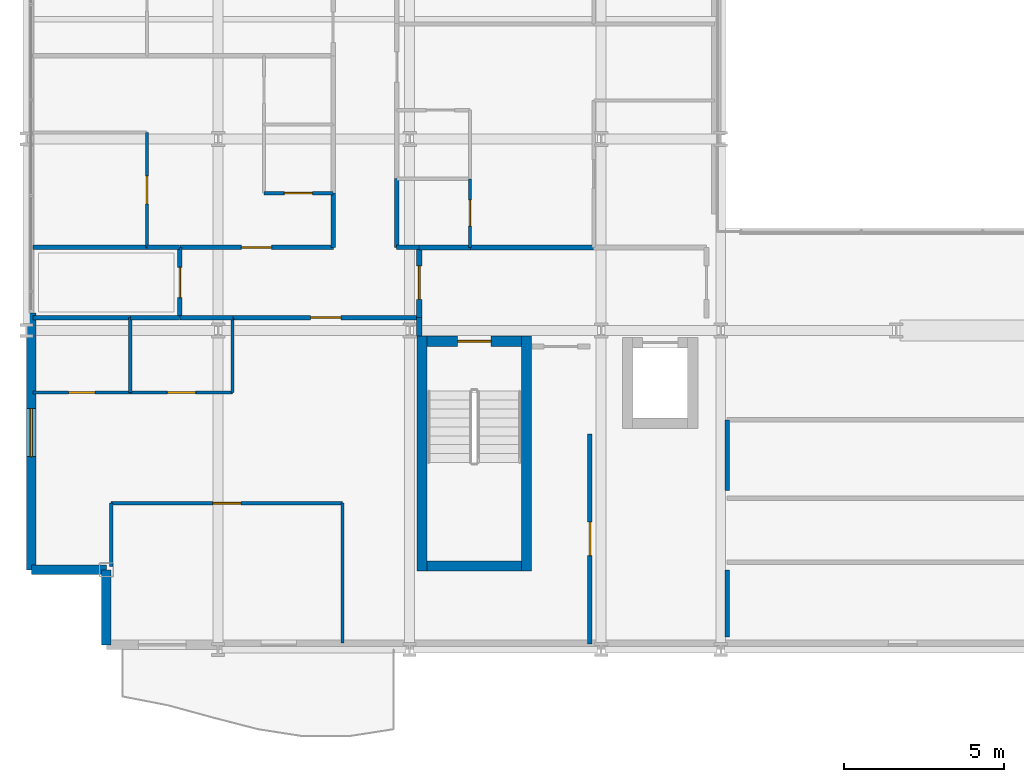
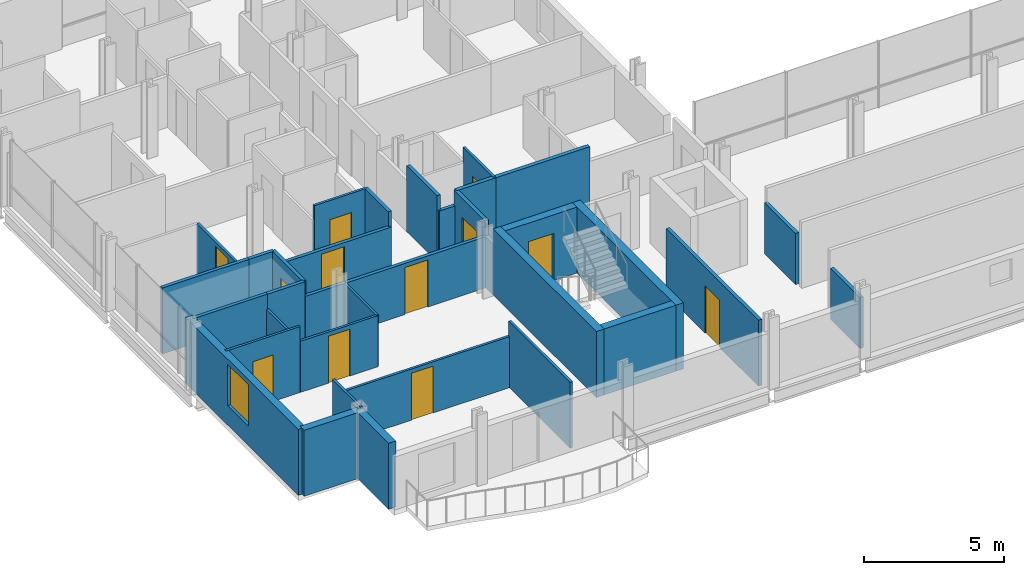
# One storey, part 31 of 40: 35 walls, 12 doors, 1 window, 13 openings.
"""IFC4 building model written with IfcOpenShell, lengths in metres."""

from ifc_helpers import new_model, si_unit, direction, frame, frame_2d, origin, place, context, subcontext, project, spatial, rectangle, extrude, material, layer, layer_set, type_object, element, fill, save


model = new_model("IFC4")

# Units and contexts
model_context = context("Model", 3, precision=1e-05, world=origin(), true_north=direction((0.0, 1.0)))
body_context = subcontext(model_context, "Body", "Model", "MODEL_VIEW")
ifc_project = project(units=[si_unit("LENGTHUNIT", "METRE"), si_unit("AREAUNIT", "SQUARE_METRE"), si_unit("VOLUMEUNIT", "CUBIC_METRE"), si_unit("PLANEANGLEUNIT", "RADIAN"), si_unit("MASSUNIT", "GRAM", prefix="KILO")], contexts=[model_context])

# Site, building, storey
site_placement = place(None, origin())
site = spatial("IfcSite", under=ifc_project, at=site_placement, CompositionType="ELEMENT")
building_placement = place(site_placement, origin())
building = spatial("IfcBuilding", under=site, at=building_placement, Name="Brevholm Reach", CompositionType="ELEMENT")
storey_placement = place(building_placement, frame((0.0, 0.0, 37.300048828125)))
storey = spatial("IfcBuildingStorey", under=building, at=storey_placement, Name="L09", CompositionType="ELEMENT", Elevation=37.300048828125)

# Walls
ifc_material_1 = material(Name="Concrete C60/75", Category="concrete")
ifc_layer_1 = layer(ifc_material_1, 0.320068359375)
ifc_layer_set_1 = layer_set([ifc_layer_1], Name="Concrete C60/75")
wall_type_1 = type_object("IfcWallType", Name="WAL-COR-320", PredefinedType="SHEAR", material=ifc_layer_set_1)
for number, where, z_axis, x_axis, name in (
    (1, (12.389892578125, 2.4599609375, 0.0), (0.0, 0.0, 1.0), (0.0, 1.0, 0.0), "L09 Escape Stair ST-1 Core Wall W"),
    (2, (15.659912109375, 2.4599609375, 0.0), (0.0, 0.0, 1.0), (0.0, 1.0, 0.0), "L09 Escape Stair ST-1 Core Wall E"),
):
    element("IfcWall", number, at=place(storey_placement, frame(where, z_axis=z_axis, x_axis=x_axis)), inside=storey, type_object=wall_type_1, Name=name, PredefinedType="SHEAR", context=body_context, shape_type="SweptSolid", body=[
        extrude(rectangle(XDim=7.360107421875, YDim=0.320068359375, at=frame_2d((3.68017578125, 0.0))), origin(), (0.0, 0.0, 1.0), 2.869873046875),
    ])
wall_1_placement = place(storey_placement, frame((12.550048828125, 2.6201171875, 0.0), z_axis=(0.0, 0.0, 1.0), x_axis=(1.0, 0.0, 0.0)))
element("IfcWall", 3, at=wall_1_placement, inside=storey, type_object=wall_type_1, Name="L09 Escape Stair ST-1 Core Wall S", PredefinedType="SHEAR", context=body_context, shape_type="SweptSolid", body=[
    extrude(rectangle(XDim=2.949951171875, YDim=0.320068359375, at=frame_2d((1.47509765625, 0.0))), origin(), (0.0, 0.0, 1.0), 2.869873046875),
])

# Wall, opening, door
wall_2_placement = place(storey_placement, frame((15.5, 9.659912109375, 0.0), z_axis=(0.0, 0.0, 1.0), x_axis=(-1.0, 0.0, 0.0)))
wall_2 = element("IfcWall", 4, at=wall_2_placement, inside=storey, type_object=wall_type_1, Name="L09 Escape Stair ST-1 Core Wall N", PredefinedType="SHEAR", context=body_context, shape_type="SweptSolid", body=[
    extrude(rectangle(XDim=2.949951171875, YDim=0.320068359375, at=frame_2d((1.47509765625, 0.0))), origin(), (0.0, 0.0, 1.0), 2.869873046875),
])
opening_1_placement = place(wall_2_placement, frame((0.949951171875, 0.0, 0.0)))
opening_1 = element("IfcOpeningElement", 5, at=opening_1_placement, cuts=wall_2, Name="Opening SD-ST-1", PredefinedType="OPENING", context=body_context, shape_type="SweptSolid", body=[
    extrude(rectangle(XDim=1.050048828125, YDim=2.06005859375, at=frame_2d((0.52490234375, 1.030029296875))), frame((0.0, 0.169921875, 0.0), z_axis=(0.0, -1.0, 0.0), x_axis=(1.0, 0.0, 0.0)), (0.0, 0.0, 1.0), 0.340087890625),
])
ifc_material_2 = material(Name="Hardwood-Lipped Steel-Core Fire and Smoke Door", Category="steel")
door_type_1 = type_object("IfcDoorType", Name="DOR-INT-FD60S", OperationType="NOTDEFINED", PredefinedType="DOOR", material=ifc_material_2)
door_1_placement = place(opening_1_placement, origin())
door_1 = element("IfcDoor", 6, at=door_1_placement, inside=storey, type_object=door_type_1, Name="L09 Protected Stair ST-1 Lobby Door", OperationType="SINGLE_SWING_LEFT", OverallHeight=2.06005859375, OverallWidth=1.050048828125, PredefinedType="DOOR", context=body_context, shape_type="SweptSolid", body=[
    extrude(rectangle(XDim=1.050048828125, YDim=2.06005859375, at=frame_2d((0.52490234375, 1.030029296875))), frame((0.0, 0.02490234375, 0.0), z_axis=(0.0, -1.0, 0.0), x_axis=(1.0, 0.0, 0.0)), (0.0, 0.0, 1.0), 0.050048828125),
])
fill(opening_1, door_1)

# Walls
ifc_material_3 = material(Name="Concrete C40/50", Category="concrete")
ifc_layer_2 = layer(ifc_material_3, 0.300048828125)
ifc_layer_set_2 = layer_set([ifc_layer_2], Name="Concrete C40/50")
wall_type_2 = type_object("IfcWallType", Name="WAL-EXT-300", PredefinedType="STANDARD", material=ifc_layer_set_2)
for number, where, z_axis, x_axis, name in (
    (7, (2.5, 2.5, 0.0), (0.0, 0.0, 1.0), (0.0, -1.0, 0.0), "L09 Facade Wall WAL-L09-CSW1"),
    (8, (0.14990234375, 2.5, 0.0), (0.0, 0.0, 1.0), (1.0, 0.0, 0.0), "L09 Facade Wall WAL-L09-CSW2"),
):
    element("IfcWall", number, at=place(storey_placement, frame(where, z_axis=z_axis, x_axis=x_axis)), inside=storey, type_object=wall_type_2, Name=name, PredefinedType="STANDARD", context=body_context, shape_type="SweptSolid", body=[
        extrude(rectangle(XDim=2.35009765625, YDim=0.300048828125, at=frame_2d((1.175048828125, 0.0))), origin(), (0.0, 0.0, 1.0), 2.869873046875),
    ])

# Wall, opening, window
wall_3_placement = place(storey_placement, frame((0.14990234375, 10.550048828125, 0.0), z_axis=(0.0, 0.0, 1.0), x_axis=(0.0, -1.0, 0.0)))
wall_3 = element("IfcWall", 9, at=wall_3_placement, inside=storey, type_object=wall_type_2, Name="L09 Facade Wall WAL-L09-W-S", PredefinedType="STANDARD", context=body_context, shape_type="SweptSolid", body=[
    extrude(rectangle(XDim=8.050048828125, YDim=0.300048828125, at=frame_2d((4.02490234375, 0.0))), origin(), (0.0, 0.0, 1.0), 2.869873046875),
])
opening_2_placement = place(wall_3_placement, frame((3.0, 0.0, 0.85009765625)))
opening_2 = element("IfcOpeningElement", 10, at=opening_2_placement, cuts=wall_3, Name="Opening WN-05", PredefinedType="OPENING", context=body_context, shape_type="SweptSolid", body=[
    extrude(rectangle(XDim=1.5, YDim=1.800048828125, at=frame_2d((0.75, 0.89990234375))), frame((0.0, 0.159912109375, 0.0), z_axis=(0.0, -1.0, 0.0), x_axis=(1.0, 0.0, 0.0)), (0.0, 0.0, 1.0), 0.320068359375),
])
ifc_material_4 = material(Name="Dark Anodised Aluminium and Solar-Control IGU Glass", Category="aluminium")
window_type = type_object("IfcWindowType", Name="WIN-RES-1500", PartitioningType="SINGLE_PANEL", PredefinedType="WINDOW", material=ifc_material_4)
window_placement = place(opening_2_placement, origin())
window = element("IfcWindow", 11, at=window_placement, inside=storey, type_object=window_type, Name="L09 Window WIN-L09-WS-1", OverallHeight=1.800048828125, OverallWidth=1.5, PartitioningType="SINGLE_PANEL", PredefinedType="WINDOW", context=body_context, shape_type="SweptSolid", body=[
    extrude(rectangle(XDim=1.5, YDim=1.800048828125, at=frame_2d((0.75, 0.89990234375))), frame((0.0, 0.030029296875, 0.0), z_axis=(0.0, -1.0, 0.0), x_axis=(1.0, 0.0, 0.0)), (0.0, 0.0, 1.0), 0.06005859375),
])
fill(opening_2, window)

# Wall
ifc_material_5 = material(Name="Moisture-Resistant Acoustic Gypsum Stud Partition 100 mm", Category="gypsum")
ifc_layer_3 = layer(ifc_material_5, 0.10009765625)
ifc_layer_set_3 = layer_set([ifc_layer_3], Name="Moisture-Resistant Acoustic Gypsum Stud Partition 100 mm")
wall_type_3 = type_object("IfcWallType", Name="WAL-PRT-100", PredefinedType="PARTITIONING", material=ifc_layer_set_3)
wall_4_placement = place(storey_placement, frame((3.25, 8.053955078125, 0.0), z_axis=(0.0, 0.0, 1.0), x_axis=(0.0, 1.0, 0.0)))
element("IfcWall", 12, at=wall_4_placement, inside=storey, type_object=wall_type_3, Name="L09 Internal Partition 065", PredefinedType="PARTITIONING", context=body_context, shape_type="SweptSolid", body=[
    extrude(rectangle(XDim=2.345947265625, YDim=0.10009765625, at=frame_2d((1.1728515625, 0.0))), origin(), (0.0, 0.0, 1.0), 2.224853515625),
])

# Wall, opening, door
wall_5_placement = place(storey_placement, frame((0.199951171875, 8.053955078125, 0.0), z_axis=(0.0, 0.0, 1.0), x_axis=(1.0, 0.0, 0.0)))
wall_5 = element("IfcWall", 13, at=wall_5_placement, inside=storey, type_object=wall_type_3, Name="L09 Internal Partition 066", PredefinedType="PARTITIONING", context=body_context, shape_type="SweptSolid", body=[
    extrude(rectangle(XDim=3.050048828125, YDim=0.10009765625, at=frame_2d((1.52490234375, 0.0))), origin(), (0.0, 0.0, 1.0), 2.869873046875),
])
opening_3_placement = place(wall_5_placement, frame((1.114990234375, 0.0, 0.0)))
opening_3 = element("IfcOpeningElement", 14, at=opening_3_placement, cuts=wall_5, Name="Opening ID-03", PredefinedType="OPENING", context=body_context, shape_type="SweptSolid", body=[
    extrude(rectangle(XDim=0.820068359375, YDim=2.02001953125, at=frame_2d((0.41015625, 1.010009765625))), frame((0.0, 0.06005859375, 0.0), z_axis=(0.0, -1.0, 0.0), x_axis=(1.0, 0.0, 0.0)), (0.0, 0.0, 1.0), 0.1201171875),
])
ifc_material_6 = material(Name="Moisture-Resistant Painted Timber Internal Bathroom Door", Category="wood")
door_type_2 = type_object("IfcDoorType", Name="DOR-BATH-820", OperationType="NOTDEFINED", PredefinedType="DOOR", material=ifc_material_6)
door_2_placement = place(opening_3_placement, origin())
door_2 = element("IfcDoor", 15, at=door_2_placement, inside=storey, type_object=door_type_2, Name="L09 Internal Door 025", OperationType="SINGLE_SWING_RIGHT", OverallHeight=2.02001953125, OverallWidth=0.820068359375, PredefinedType="DOOR", context=body_context, shape_type="SweptSolid", body=[
    extrude(rectangle(XDim=0.820068359375, YDim=2.02001953125, at=frame_2d((0.41015625, 1.010009765625))), frame((0.0, 0.02490234375, 0.0), z_axis=(0.0, -1.0, 0.0), x_axis=(1.0, 0.0, 0.0)), (0.0, 0.0, 1.0), 0.050048828125),
])
fill(opening_3, door_2)

wall_6_placement = place(storey_placement, frame((3.25390625, 8.053955078125, 0.0), z_axis=(0.0, 0.0, 1.0), x_axis=(1.0, 0.0, 0.0)))
wall_6 = element("IfcWall", 16, at=wall_6_placement, inside=storey, type_object=wall_type_3, Name="L09 Internal Partition 068", PredefinedType="PARTITIONING", context=body_context, shape_type="SweptSolid", body=[
    extrude(rectangle(XDim=3.196044921875, YDim=0.10009765625, at=frame_2d((1.59814453125, 0.0))), origin(), (0.0, 0.0, 1.0), 2.224853515625),
])
opening_4_placement = place(wall_6_placement, frame((1.157958984375, 0.0, 0.0)))
opening_4 = element("IfcOpeningElement", 17, at=opening_4_placement, cuts=wall_6, Name="Opening ID-01", PredefinedType="OPENING", context=body_context, shape_type="SweptSolid", body=[
    extrude(rectangle(XDim=0.8798828125, YDim=2.0400390625, at=frame_2d((0.43994140625, 1.02001953125))), frame((0.0, 0.06005859375, 0.0), z_axis=(0.0, -1.0, 0.0), x_axis=(1.0, 0.0, 0.0)), (0.0, 0.0, 1.0), 0.1201171875),
])
ifc_material_7 = material(Name="Lacquered Ash Solid-Core Acoustic Internal Door", Category="timber")
door_type_3 = type_object("IfcDoorType", Name="DOR-INT-880", OperationType="NOTDEFINED", PredefinedType="DOOR", material=ifc_material_7)
door_3_placement = place(opening_4_placement, origin())
door_3 = element("IfcDoor", 18, at=door_3_placement, inside=storey, type_object=door_type_3, Name="L09 Internal Door 026", OperationType="SINGLE_SWING_LEFT", OverallHeight=2.0400390625, OverallWidth=0.8798828125, PredefinedType="DOOR", context=body_context, shape_type="SweptSolid", body=[
    extrude(rectangle(XDim=0.8798828125, YDim=2.0400390625, at=frame_2d((0.43994140625, 1.02001953125))), frame((0.0, 0.02490234375, 0.0), z_axis=(0.0, -1.0, 0.0), x_axis=(1.0, 0.0, 0.0)), (0.0, 0.0, 1.0), 0.050048828125),
])
fill(opening_4, door_3)

# Walls
wall_7_placement = place(storey_placement, frame((6.449951171875, 8.053955078125, 0.0), z_axis=(0.0, 0.0, 1.0), x_axis=(0.0, 1.0, 0.0)))
element("IfcWall", 19, at=wall_7_placement, inside=storey, type_object=wall_type_3, Name="L09 Internal Partition 069", PredefinedType="PARTITIONING", context=body_context, shape_type="SweptSolid", body=[
    extrude(rectangle(XDim=2.342041015625, YDim=0.10009765625, at=frame_2d((1.1708984375, 0.0))), origin(), (0.0, 0.0, 1.0), 2.224853515625),
])
wall_8_placement = place(storey_placement, frame((2.64990234375, 2.599365234375, 0.0), z_axis=(0.0, 0.0, 1.0), x_axis=(0.0, 1.0, 0.0)))
element("IfcWall", 20, at=wall_8_placement, inside=storey, type_object=wall_type_3, Name="L09 Internal Partition 071", PredefinedType="PARTITIONING", context=body_context, shape_type="SweptSolid", body=[
    extrude(rectangle(XDim=1.986572265625, YDim=0.10009765625, at=frame_2d((0.9931640625, 0.0))), origin(), (0.0, 0.0, 1.0), 2.869873046875),
])
wall_9_placement = place(storey_placement, frame((9.89990234375, 0.199951171875, 0.0), z_axis=(0.0, 0.0, 1.0), x_axis=(0.0, 1.0, 0.0)))
element("IfcWall", 21, at=wall_9_placement, inside=storey, type_object=wall_type_3, Name="L09 Internal Partition 072", PredefinedType="PARTITIONING", context=body_context, shape_type="SweptSolid", body=[
    extrude(rectangle(XDim=4.385986328125, YDim=0.10009765625, at=frame_2d((2.19287109375, 0.0))), origin(), (0.0, 0.0, 1.0), 2.869873046875),
])

# Wall, opening, door
wall_10_placement = place(storey_placement, frame((2.64990234375, 4.5859375, 0.0), z_axis=(0.0, 0.0, 1.0), x_axis=(1.0, 0.0, 0.0)))
wall_10 = element("IfcWall", 22, at=wall_10_placement, inside=storey, type_object=wall_type_3, Name="L09 Internal Partition 073", PredefinedType="PARTITIONING", context=body_context, shape_type="SweptSolid", body=[
    extrude(rectangle(XDim=7.25, YDim=0.10009765625, at=frame_2d((3.625, 0.0))), origin(), (0.0, 0.0, 1.0), 2.224853515625),
])
opening_5_placement = place(wall_10_placement, frame((3.18505859375, 0.0, 0.0)))
opening_5 = element("IfcOpeningElement", 23, at=opening_5_placement, cuts=wall_10, Name="Opening ID-01", PredefinedType="OPENING", context=body_context, shape_type="SweptSolid", body=[
    extrude(rectangle(XDim=0.8798828125, YDim=2.0400390625, at=frame_2d((0.43994140625, 1.02001953125))), frame((0.0, 0.06005859375, 0.0), z_axis=(0.0, -1.0, 0.0), x_axis=(1.0, 0.0, 0.0)), (0.0, 0.0, 1.0), 0.1201171875),
])
door_4_placement = place(opening_5_placement, origin())
door_4 = element("IfcDoor", 24, at=door_4_placement, inside=storey, type_object=door_type_3, Name="L09 Internal Door 027", OperationType="SINGLE_SWING_RIGHT", OverallHeight=2.0400390625, OverallWidth=0.8798828125, PredefinedType="DOOR", context=body_context, shape_type="SweptSolid", body=[
    extrude(rectangle(XDim=0.8798828125, YDim=2.0400390625, at=frame_2d((0.43994140625, 1.02001953125))), frame((0.0, 0.02490234375, 0.0), z_axis=(0.0, -1.0, 0.0), x_axis=(1.0, 0.0, 0.0)), (0.0, 0.0, 1.0), 0.050048828125),
])
fill(opening_5, door_4)

wall_11_placement = place(storey_placement, frame((7.43798828125, 14.300048828125, 0.0), z_axis=(0.0, 0.0, 1.0), x_axis=(1.0, 0.0, 0.0)))
wall_11 = element("IfcWall", 25, at=wall_11_placement, inside=storey, type_object=wall_type_3, Name="L09 Internal Partition 089", PredefinedType="PARTITIONING", context=body_context, shape_type="SweptSolid", body=[
    extrude(rectangle(XDim=2.157958984375, YDim=0.10009765625, at=frame_2d((1.0791015625, 0.0))), origin(), (0.0, 0.0, 1.0), 2.869873046875),
])
opening_6_placement = place(wall_11_placement, frame((0.638916015625, 0.0, 0.0)))
opening_6 = element("IfcOpeningElement", 26, at=opening_6_placement, cuts=wall_11, Name="Opening ID-01", PredefinedType="OPENING", context=body_context, shape_type="SweptSolid", body=[
    extrude(rectangle(XDim=0.8798828125, YDim=2.0400390625, at=frame_2d((0.43994140625, 1.02001953125))), frame((0.0, 0.06005859375, 0.0), z_axis=(0.0, -1.0, 0.0), x_axis=(1.0, 0.0, 0.0)), (0.0, 0.0, 1.0), 0.1201171875),
])
door_5_placement = place(opening_6_placement, origin())
door_5 = element("IfcDoor", 27, at=door_5_placement, inside=storey, type_object=door_type_3, Name="L09 Internal Door 032", OperationType="SINGLE_SWING_LEFT", OverallHeight=2.0400390625, OverallWidth=0.8798828125, PredefinedType="DOOR", context=body_context, shape_type="SweptSolid", body=[
    extrude(rectangle(XDim=0.8798828125, YDim=2.0400390625, at=frame_2d((0.43994140625, 1.02001953125))), frame((0.0, 0.02490234375, 0.0), z_axis=(0.0, -1.0, 0.0), x_axis=(1.0, 0.0, 0.0)), (0.0, 0.0, 1.0), 0.050048828125),
])
fill(opening_6, door_5)

wall_12_placement = place(storey_placement, frame((3.77197265625, 12.60400390625, 0.0), z_axis=(0.0, 0.0, 1.0), x_axis=(0.0, 1.0, 0.0)))
wall_12 = element("IfcWall", 28, at=wall_12_placement, inside=storey, type_object=wall_type_3, Name="L09 Internal Partition 091", PredefinedType="PARTITIONING", context=body_context, shape_type="SweptSolid", body=[
    extrude(rectangle(XDim=3.595947265625, YDim=0.10009765625, at=frame_2d((1.7978515625, 0.0))), origin(), (0.0, 0.0, 1.0), 2.224853515625),
])
opening_7_placement = place(wall_12_placement, frame((1.35791015625, 0.0, 0.0)))
opening_7 = element("IfcOpeningElement", 29, at=opening_7_placement, cuts=wall_12, Name="Opening ID-01", PredefinedType="OPENING", context=body_context, shape_type="SweptSolid", body=[
    extrude(rectangle(XDim=0.8798828125, YDim=2.0400390625, at=frame_2d((0.43994140625, 1.02001953125))), frame((0.0, 0.06005859375, 0.0), z_axis=(0.0, -1.0, 0.0), x_axis=(1.0, 0.0, 0.0)), (0.0, 0.0, 1.0), 0.1201171875),
])
door_6_placement = place(opening_7_placement, origin())
door_6 = element("IfcDoor", 30, at=door_6_placement, inside=storey, type_object=door_type_3, Name="L09 Internal Door 033", OperationType="SINGLE_SWING_RIGHT", OverallHeight=2.0400390625, OverallWidth=0.8798828125, PredefinedType="DOOR", context=body_context, shape_type="SweptSolid", body=[
    extrude(rectangle(XDim=0.8798828125, YDim=2.0400390625, at=frame_2d((0.43994140625, 1.02001953125))), frame((0.0, 0.02490234375, 0.0), z_axis=(0.0, -1.0, 0.0), x_axis=(1.0, 0.0, 0.0)), (0.0, 0.0, 1.0), 0.050048828125),
])
fill(opening_7, door_6)

wall_13_placement = place(storey_placement, frame((13.888916015625, 12.60400390625, 0.0), z_axis=(0.0, 0.0, 1.0), x_axis=(0.0, 1.0, 0.0)))
wall_13 = element("IfcWall", 31, at=wall_13_placement, inside=storey, type_object=wall_type_3, Name="L09 Internal Partition 111", PredefinedType="PARTITIONING", context=body_context, shape_type="SweptSolid", body=[
    extrude(rectangle(XDim=2.14599609375, YDim=0.10009765625, at=frame_2d((1.072998046875, 0.0))), origin(), (0.0, 0.0, 1.0), 2.869873046875),
])
opening_8_placement = place(wall_13_placement, frame((0.6630859375, 0.0, 0.0)))
opening_8 = element("IfcOpeningElement", 32, at=opening_8_placement, cuts=wall_13, Name="Opening ID-03", PredefinedType="OPENING", context=body_context, shape_type="SweptSolid", body=[
    extrude(rectangle(XDim=0.820068359375, YDim=2.02001953125, at=frame_2d((0.41015625, 1.010009765625))), frame((0.0, 0.06005859375, 0.0), z_axis=(0.0, -1.0, 0.0), x_axis=(1.0, 0.0, 0.0)), (0.0, 0.0, 1.0), 0.1201171875),
])
door_7_placement = place(opening_8_placement, origin())
door_7 = element("IfcDoor", 33, at=door_7_placement, inside=storey, type_object=door_type_2, Name="L09 Internal Door 040", OperationType="SINGLE_SWING_LEFT", OverallHeight=2.02001953125, OverallWidth=0.820068359375, PredefinedType="DOOR", context=body_context, shape_type="SweptSolid", body=[
    extrude(rectangle(XDim=0.820068359375, YDim=2.02001953125, at=frame_2d((0.41015625, 1.010009765625))), frame((0.0, 0.02490234375, 0.0), z_axis=(0.0, -1.0, 0.0), x_axis=(1.0, 0.0, 0.0)), (0.0, 0.0, 1.0), 0.050048828125),
])
fill(opening_8, door_7)

ifc_material_8 = material(Name="Twin-Stud Acoustic Fire-Rated Gypsum Partition 140 mm", Category="gypsum")
ifc_layer_4 = layer(ifc_material_8, 0.139892578125)
ifc_layer_set_4 = layer_set([ifc_layer_4], Name="Twin-Stud Acoustic Fire-Rated Gypsum Partition 140 mm")
wall_type_4 = type_object("IfcWallType", Name="WAL-PRT-140", PredefinedType="PARTITIONING", material=ifc_layer_set_4)
wall_14_placement = place(storey_placement, frame((17.64990234375, 0.179931640625, 0.0), z_axis=(0.0, 0.0, 1.0), x_axis=(0.0, 1.0, 0.0)))
wall_14 = element("IfcWall", 34, at=wall_14_placement, inside=storey, type_object=wall_type_4, Name="L09 Internal Partition 006", PredefinedType="PARTITIONING", context=body_context, shape_type="SweptSolid", body=[
    extrude(rectangle(XDim=6.581298828125, YDim=0.139892578125, at=frame_2d((3.29052734375, 0.0))), origin(), (0.0, 0.0, 1.0), 2.869873046875),
])
opening_9_placement = place(wall_14_placement, frame((2.765625, 0.0, 0.0)))
opening_9 = element("IfcOpeningElement", 35, at=opening_9_placement, cuts=wall_14, Name="Opening FD-01", PredefinedType="OPENING", context=body_context, shape_type="SweptSolid", body=[
    extrude(rectangle(XDim=1.050048828125, YDim=2.06005859375, at=frame_2d((0.52490234375, 1.030029296875))), frame((0.0, 0.079833984375, 0.0), z_axis=(0.0, -1.0, 0.0), x_axis=(1.0, 0.0, 0.0)), (0.0, 0.0, 1.0), 0.159912109375),
])
door_8_placement = place(opening_9_placement, origin())
door_8 = element("IfcDoor", 36, at=door_8_placement, inside=storey, type_object=door_type_1, Name="L09 Internal Door 004", OperationType="SINGLE_SWING_LEFT", OverallHeight=2.06005859375, OverallWidth=1.050048828125, PredefinedType="DOOR", context=body_context, shape_type="SweptSolid", body=[
    extrude(rectangle(XDim=1.050048828125, YDim=2.06005859375, at=frame_2d((0.52490234375, 1.030029296875))), frame((0.0, 0.02490234375, 0.0), z_axis=(0.0, -1.0, 0.0), x_axis=(1.0, 0.0, 0.0)), (0.0, 0.0, 1.0), 0.050048828125),
])
fill(opening_9, door_8)

# Wall
wall_15_placement = place(storey_placement, frame((4.800048828125, 10.39990234375, 0.0), z_axis=(0.0, 0.0, 1.0), x_axis=(1.0, 0.0, 0.0)))
element("IfcWall", 37, at=wall_15_placement, inside=storey, type_object=wall_type_4, Name="L09 Internal Partition 022", PredefinedType="PARTITIONING", context=body_context, shape_type="SweptSolid", body=[
    extrude(rectangle(XDim=1.6611328125, YDim=0.139892578125, at=frame_2d((0.83056640625, 0.0))), origin(), (0.0, 0.0, 1.0), 2.224853515625),
])

# Wall, opening, door
wall_16_placement = place(storey_placement, frame((6.442626953125, 10.39990234375, 0.0), z_axis=(0.0, 0.0, 1.0), x_axis=(1.0, 0.0, 0.0)))
wall_16 = element("IfcWall", 38, at=wall_16_placement, inside=storey, type_object=wall_type_4, Name="L09 Internal Partition 023", PredefinedType="PARTITIONING", context=body_context, shape_type="SweptSolid", body=[
    extrude(rectangle(XDim=5.853271484375, YDim=0.139892578125, at=frame_2d((2.9267578125, 0.0))), origin(), (0.0, 0.0, 1.0), 2.224853515625),
])
opening_10_placement = place(wall_16_placement, frame((2.45166015625, 0.0, 0.0)))
opening_10 = element("IfcOpeningElement", 39, at=opening_10_placement, cuts=wall_16, Name="Opening ID-30", PredefinedType="OPENING", context=body_context, shape_type="SweptSolid", body=[
    extrude(rectangle(XDim=0.949951171875, YDim=2.050048828125, at=frame_2d((0.47509765625, 1.02490234375))), frame((0.0, 0.079833984375, 0.0), z_axis=(0.0, -1.0, 0.0), x_axis=(1.0, 0.0, 0.0)), (0.0, 0.0, 1.0), 0.159912109375),
])
ifc_material_9 = material(Name="European Oak Veneered Solid-Core Fire Entrance Door", Category="timber")
door_type_4 = type_object("IfcDoorType", Name="DOR-FLT-FD30S", OperationType="NOTDEFINED", PredefinedType="DOOR", material=ifc_material_9)
door_9_placement = place(opening_10_placement, origin())
door_9 = element("IfcDoor", 40, at=door_9_placement, inside=storey, type_object=door_type_4, Name="L09 Internal Door 013", OperationType="SINGLE_SWING_RIGHT", OverallHeight=2.050048828125, OverallWidth=0.949951171875, PredefinedType="DOOR", context=body_context, shape_type="SweptSolid", body=[
    extrude(rectangle(XDim=0.949951171875, YDim=2.050048828125, at=frame_2d((0.47509765625, 1.02490234375))), frame((0.0, 0.02490234375, 0.0), z_axis=(0.0, -1.0, 0.0), x_axis=(1.0, 0.0, 0.0)), (0.0, 0.0, 1.0), 0.050048828125),
])
fill(opening_10, door_9)

wall_17_placement = place(storey_placement, frame((4.800048828125, 10.39990234375, 0.0), z_axis=(0.0, 0.0, 1.0), x_axis=(0.0, 1.0, 0.0)))
wall_17 = element("IfcWall", 41, at=wall_17_placement, inside=storey, type_object=wall_type_4, Name="L09 Internal Partition 024", PredefinedType="PARTITIONING", context=body_context, shape_type="SweptSolid", body=[
    extrude(rectangle(XDim=2.2001953125, YDim=0.139892578125, at=frame_2d((1.10009765625, 0.0))), origin(), (0.0, 0.0, 1.0), 2.869873046875),
])
opening_11_placement = place(wall_17_placement, frame((0.625, 0.0, 0.0)))
opening_11 = element("IfcOpeningElement", 42, at=opening_11_placement, cuts=wall_17, Name="Opening ID-30", PredefinedType="OPENING", context=body_context, shape_type="SweptSolid", body=[
    extrude(rectangle(XDim=0.949951171875, YDim=2.050048828125, at=frame_2d((0.47509765625, 1.02490234375))), frame((0.0, 0.079833984375, 0.0), z_axis=(0.0, -1.0, 0.0), x_axis=(1.0, 0.0, 0.0)), (0.0, 0.0, 1.0), 0.159912109375),
])
door_10_placement = place(opening_11_placement, origin())
door_10 = element("IfcDoor", 43, at=door_10_placement, inside=storey, type_object=door_type_4, Name="L09 Internal Door 014", OperationType="SINGLE_SWING_LEFT", OverallHeight=2.050048828125, OverallWidth=0.949951171875, PredefinedType="DOOR", context=body_context, shape_type="SweptSolid", body=[
    extrude(rectangle(XDim=0.949951171875, YDim=2.050048828125, at=frame_2d((0.47509765625, 1.02490234375))), frame((0.0, 0.02490234375, 0.0), z_axis=(0.0, -1.0, 0.0), x_axis=(1.0, 0.0, 0.0)), (0.0, 0.0, 1.0), 0.050048828125),
])
fill(opening_11, door_10)

wall_18_placement = place(storey_placement, frame((4.800048828125, 12.60009765625, 0.0), z_axis=(0.0, 0.0, 1.0), x_axis=(1.0, 0.0, 0.0)))
wall_18 = element("IfcWall", 44, at=wall_18_placement, inside=storey, type_object=wall_type_4, Name="L09 Internal Partition 025", PredefinedType="PARTITIONING", context=body_context, shape_type="SweptSolid", body=[
    extrude(rectangle(XDim=4.807373046875, YDim=0.139892578125, at=frame_2d((2.40380859375, 0.0))), origin(), (0.0, 0.0, 1.0), 2.224853515625),
])
opening_12_placement = place(wall_18_placement, frame((1.9287109375, 0.0, 0.0)))
opening_12 = element("IfcOpeningElement", 45, at=opening_12_placement, cuts=wall_18, Name="Opening ID-30", PredefinedType="OPENING", context=body_context, shape_type="SweptSolid", body=[
    extrude(rectangle(XDim=0.949951171875, YDim=2.050048828125, at=frame_2d((0.47509765625, 1.02490234375))), frame((0.0, 0.079833984375, 0.0), z_axis=(0.0, -1.0, 0.0), x_axis=(1.0, 0.0, 0.0)), (0.0, 0.0, 1.0), 0.159912109375),
])
door_11_placement = place(opening_12_placement, origin())
door_11 = element("IfcDoor", 46, at=door_11_placement, inside=storey, type_object=door_type_4, Name="L09 Internal Door 015", OperationType="SINGLE_SWING_RIGHT", OverallHeight=2.050048828125, OverallWidth=0.949951171875, PredefinedType="DOOR", context=body_context, shape_type="SweptSolid", body=[
    extrude(rectangle(XDim=0.949951171875, YDim=2.050048828125, at=frame_2d((0.47509765625, 1.02490234375))), frame((0.0, 0.02490234375, 0.0), z_axis=(0.0, -1.0, 0.0), x_axis=(1.0, 0.0, 0.0)), (0.0, 0.0, 1.0), 0.050048828125),
])
fill(opening_12, door_11)

# Walls
wall_19_placement = place(storey_placement, frame((11.5927734375, 12.60009765625, 0.0), z_axis=(0.0, 0.0, 1.0), x_axis=(1.0, 0.0, 0.0)))
element("IfcWall", 47, at=wall_19_placement, inside=storey, type_object=wall_type_4, Name="L09 Internal Partition 026", PredefinedType="PARTITIONING", context=body_context, shape_type="SweptSolid", body=[
    extrude(rectangle(XDim=0.703125, YDim=0.139892578125, at=frame_2d((0.3515625, 0.0))), origin(), (0.0, 0.0, 1.0), 2.224853515625),
])
wall_20_placement = place(storey_placement, frame((9.60009765625, 12.60400390625, 0.0), z_axis=(0.0, 0.0, 1.0), x_axis=(0.0, 1.0, 0.0)))
element("IfcWall", 48, at=wall_20_placement, inside=storey, type_object=wall_type_4, Name="L09 Internal Partition 032", PredefinedType="PARTITIONING", context=body_context, shape_type="SweptSolid", body=[
    extrude(rectangle(XDim=1.703369140625, YDim=0.139892578125, at=frame_2d((0.8515625, 0.0))), origin(), (0.0, 0.0, 1.0), 2.869873046875),
])
wall_21_placement = place(storey_placement, frame((11.60009765625, 12.60400390625, 0.0), z_axis=(0.0, 0.0, 1.0), x_axis=(0.0, 1.0, 0.0)))
element("IfcWall", 49, at=wall_21_placement, inside=storey, type_object=wall_type_4, Name="L09 Internal Partition 039", PredefinedType="PARTITIONING", context=body_context, shape_type="SweptSolid", body=[
    extrude(rectangle(XDim=2.1572265625, YDim=0.139892578125, at=frame_2d((1.07861328125, 0.0))), origin(), (0.0, 0.0, 1.0), 2.869873046875),
])
wall_22_placement = place(storey_placement, frame((0.199951171875, 10.39990234375, 0.0), z_axis=(0.0, 0.0, 1.0), x_axis=(1.0, 0.0, 0.0)))
element("IfcWall", 50, at=wall_22_placement, inside=storey, type_object=wall_type_4, Name="L09 Internal Partition 067", PredefinedType="PARTITIONING", context=body_context, shape_type="SweptSolid", body=[
    extrude(rectangle(XDim=3.050048828125, YDim=0.139892578125, at=frame_2d((1.52490234375, 0.0))), origin(), (0.0, 0.0, 1.0), 2.869873046875),
])
wall_23_placement = place(storey_placement, frame((3.25390625, 10.39990234375, 0.0), z_axis=(0.0, 0.0, 1.0), x_axis=(1.0, 0.0, 0.0)))
element("IfcWall", 51, at=wall_23_placement, inside=storey, type_object=wall_type_4, Name="L09 Internal Partition 070", PredefinedType="PARTITIONING", context=body_context, shape_type="SweptSolid", body=[
    extrude(rectangle(XDim=1.5419921875, YDim=0.139892578125, at=frame_2d((0.77099609375, 0.0))), origin(), (0.0, 0.0, 1.0), 2.869873046875),
])
wall_24_placement = place(storey_placement, frame((0.199951171875, 12.60009765625, 0.0), z_axis=(0.0, 0.0, 1.0), x_axis=(1.0, 0.0, 0.0)))
element("IfcWall", 52, at=wall_24_placement, inside=storey, type_object=wall_type_4, Name="L09 Internal Partition 074", PredefinedType="PARTITIONING", context=body_context, shape_type="SweptSolid", body=[
    extrude(rectangle(XDim=3.583251953125, YDim=0.139892578125, at=frame_2d((1.79150390625, 0.0))), origin(), (0.0, 0.0, 1.0), 2.869873046875),
])
wall_25_placement = place(storey_placement, frame((3.7646484375, 12.60009765625, 0.0), z_axis=(0.0, 0.0, 1.0), x_axis=(1.0, 0.0, 0.0)))
element("IfcWall", 53, at=wall_25_placement, inside=storey, type_object=wall_type_4, Name="L09 Internal Partition 075", PredefinedType="PARTITIONING", context=body_context, shape_type="SweptSolid", body=[
    extrude(rectangle(XDim=1.03125, YDim=0.139892578125, at=frame_2d((0.515625, 0.0))), origin(), (0.0, 0.0, 1.0), 2.869873046875),
])
wall_26_placement = place(storey_placement, frame((21.949951171875, 0.389892578125, 0.0), z_axis=(0.0, 0.0, 1.0), x_axis=(0.0, 1.0, 0.0)))
element("IfcWall", 54, at=wall_26_placement, inside=storey, type_object=wall_type_4, Name="L09 Internal Partition 162", PredefinedType="PARTITIONING", context=body_context, shape_type="SweptSolid", body=[
    extrude(rectangle(XDim=2.107177734375, YDim=0.139892578125, at=frame_2d((1.0537109375, 0.0))), origin(), (0.0, 0.0, 1.0), 2.224853515625),
])
wall_27_placement = place(storey_placement, frame((21.949951171875, 4.98095703125, 0.0), z_axis=(0.0, 0.0, 1.0), x_axis=(0.0, 1.0, 0.0)))
element("IfcWall", 55, at=wall_27_placement, inside=storey, type_object=wall_type_4, Name="L09 Internal Partition 164", PredefinedType="PARTITIONING", context=body_context, shape_type="SweptSolid", body=[
    extrude(rectangle(XDim=2.218994140625, YDim=0.139892578125, at=frame_2d((1.109375, 0.0))), origin(), (0.0, 0.0, 1.0), 2.224853515625),
])

# Wall, opening, door
ifc_material_10 = material(Name="Twin-Frame Fire-Rated Gypsum Board and Mineral Wool 160 mm", Category="gypsum")
ifc_layer_5 = layer(ifc_material_10, 0.159912109375)
ifc_layer_set_5 = layer_set([ifc_layer_5], Name="Twin-Frame Fire-Rated Gypsum Board and Mineral Wool 160 mm")
wall_type_5 = type_object("IfcWallType", Name="WAL-PRT-160", PredefinedType="PARTITIONING", material=ifc_layer_set_5)
wall_28_placement = place(storey_placement, frame((12.300048828125, 10.388671875, 0.0), z_axis=(0.0, 0.0, 1.0), x_axis=(0.0, 1.0, 0.0)))
wall_28 = element("IfcWall", 56, at=wall_28_placement, inside=storey, type_object=wall_type_5, Name="L09 Internal Partition 012", PredefinedType="PARTITIONING", context=body_context, shape_type="SweptSolid", body=[
    extrude(rectangle(XDim=2.21142578125, YDim=0.159912109375, at=frame_2d((1.105712890625, 0.0))), origin(), (0.0, 0.0, 1.0), 2.869873046875),
])
opening_13_placement = place(wall_28_placement, frame((0.58056640625, 0.0, 0.0)))
opening_13 = element("IfcOpeningElement", 57, at=opening_13_placement, cuts=wall_28, Name="Opening FD-01", PredefinedType="OPENING", context=body_context, shape_type="SweptSolid", body=[
    extrude(rectangle(XDim=1.050048828125, YDim=2.06005859375, at=frame_2d((0.52490234375, 1.030029296875))), frame((0.0, 0.08984375, 0.0), z_axis=(0.0, -1.0, 0.0), x_axis=(1.0, 0.0, 0.0)), (0.0, 0.0, 1.0), 0.179931640625),
])
door_12_placement = place(opening_13_placement, origin())
door_12 = element("IfcDoor", 58, at=door_12_placement, inside=storey, type_object=door_type_1, Name="L09 Internal Door 009", OperationType="SINGLE_SWING_RIGHT", OverallHeight=2.06005859375, OverallWidth=1.050048828125, PredefinedType="DOOR", context=body_context, shape_type="SweptSolid", body=[
    extrude(rectangle(XDim=1.050048828125, YDim=2.06005859375, at=frame_2d((0.52490234375, 1.030029296875))), frame((0.0, 0.02490234375, 0.0), z_axis=(0.0, -1.0, 0.0), x_axis=(1.0, 0.0, 0.0)), (0.0, 0.0, 1.0), 0.050048828125),
])
fill(opening_13, door_12)

# Walls
wall_29_placement = place(storey_placement, frame((12.300048828125, 9.830078125, 0.0), z_axis=(0.0, 0.0, 1.0), x_axis=(0.0, 1.0, 0.0)))
element("IfcWall", 59, at=wall_29_placement, inside=storey, type_object=wall_type_5, Name="L09 Internal Partition 014", PredefinedType="PARTITIONING", context=body_context, shape_type="SweptSolid", body=[
    extrude(rectangle(XDim=0.5771484375, YDim=0.159912109375, at=frame_2d((0.28857421875, 0.0))), origin(), (0.0, 0.0, 1.0), 2.224853515625),
])
wall_30_placement = place(storey_placement, frame((12.300048828125, 12.60009765625, 0.0), z_axis=(0.0, 0.0, 1.0), x_axis=(1.0, 0.0, 0.0)))
element("IfcWall", 60, at=wall_30_placement, inside=storey, type_object=wall_type_5, Name="L09 Internal Partition 015", PredefinedType="PARTITIONING", context=body_context, shape_type="SweptSolid", body=[
    extrude(rectangle(XDim=1.600341796875, YDim=0.159912109375, at=frame_2d((0.80029296875, 0.0))), origin(), (0.0, 0.0, 1.0), 2.869873046875),
])
wall_31_placement = place(storey_placement, frame((13.881591796875, 12.60009765625, 0.0), z_axis=(0.0, 0.0, 1.0), x_axis=(1.0, 0.0, 0.0)))
element("IfcWall", 61, at=wall_31_placement, inside=storey, type_object=wall_type_5, Name="L09 Internal Partition 017", PredefinedType="PARTITIONING", context=body_context, shape_type="SweptSolid", body=[
    extrude(rectangle(XDim=3.894775390625, YDim=0.159912109375, at=frame_2d((1.947265625, 0.0))), origin(), (0.0, 0.0, 1.0), 2.869873046875),
])

save(model, "model.ifc")
